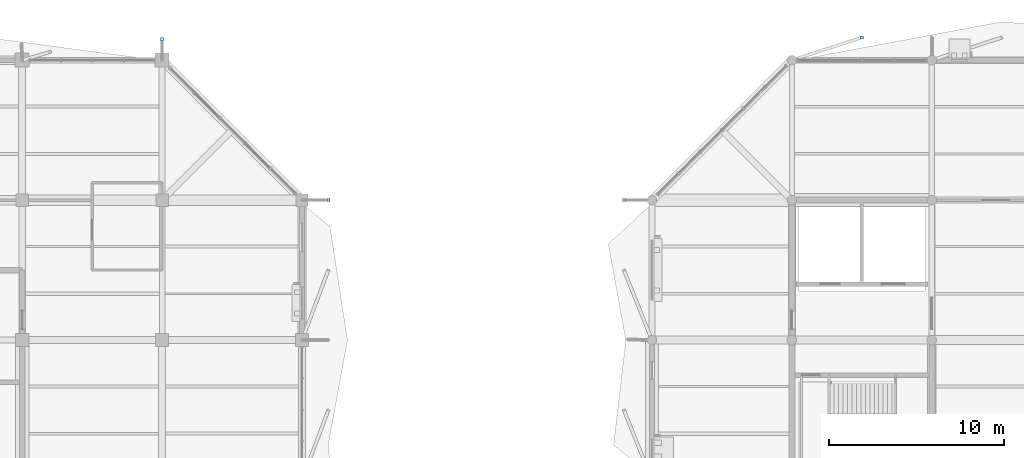
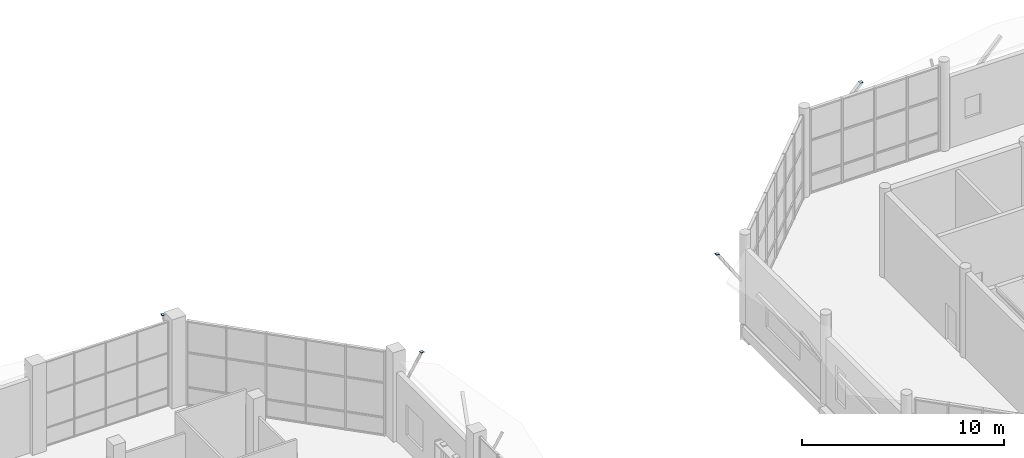
# One storey, part 101 of 122: 4 plates.
"""IFC4 building model written with IfcOpenShell, lengths in metres."""

import ifcopenshell
import ifcopenshell.guid

model = None  # the IFC model being written
_history = None  # IfcOwnerHistory: only IFC2X3 demands one
_inside = {}  # id of a spatial element -> (the spatial element, [elements in it])
_under = {}  # id of a project, library or spatial element -> (it, [spatial elements below it])
_declared = {}  # id of a project -> (the project, [libraries it declares])
_typed = {}  # id of a type object -> (the type object, [elements of that type])
_made_of = {}  # id of a material, layer set ... -> (it, [elements and type objects made of it])


def new_model(schema):
    """Start an empty IFC model of exactly this schema.

    Asked for "IFC4X3", IfcOpenShell would pick the latest addendum, in which some entities
    have other attributes; the version numbers below select the first issue.
    IFC2X3 requires an IfcOwnerHistory on every rooted entity: one is made here for all.
    """
    global model, _history
    if schema == "IFC4X3":
        model = ifcopenshell.file(schema_version=(4, 3, 0, 0))
    else:
        model = ifcopenshell.file(schema=schema)
    _inside.clear()
    _under.clear()
    _declared.clear()
    _typed.clear()
    _made_of.clear()
    _history = None
    if model.schema == "IFC2X3":
        org = make("IfcOrganization", Name="unknown")
        user = make(
            "IfcPersonAndOrganization",
            ThePerson=make("IfcPerson", FamilyName="unknown"),
            TheOrganization=org,
        )
        app = make(
            "IfcApplication",
            ApplicationDeveloper=org,
            Version="unknown",
            ApplicationFullName="unknown",
            ApplicationIdentifier="unknown",
        )
        _history = make(
            "IfcOwnerHistory",
            OwningUser=user,
            OwningApplication=app,
            ChangeAction="ADDED",
            CreationDate=0,
        )
    return model


def make(cls, **values):
    """One entity of the class cls with the attributes given. An attribute that is None is left unset."""
    return model.create_entity(
        cls, **{name: value for name, value in values.items() if value is not None}
    )


def rooted(cls, **values):
    """An entity with a GlobalId (a new one), such as an element, a storey or a relation."""
    return make(cls, GlobalId=ifcopenshell.guid.new(), OwnerHistory=_history, **values)


def si_unit(unit_type, name, prefix=None):
    """IfcSIUnit, for example si_unit("LENGTHUNIT", "METRE", prefix="MILLI")."""
    return make("IfcSIUnit", UnitType=unit_type, Prefix=prefix, Name=name)


def assignment(units):
    """IfcUnitAssignment: the units of a project."""
    return None if units is None else make("IfcUnitAssignment", Units=units)


def point(xyz):
    """IfcCartesianPoint."""
    return None if xyz is None else make("IfcCartesianPoint", Coordinates=xyz)


def direction(xyz):
    """IfcDirection."""
    return None if xyz is None else make("IfcDirection", DirectionRatios=xyz)


def frame(location, z_axis=None, x_axis=None):
    """IfcAxis2Placement3D, a coordinate frame: its origin and axes. An axis left out is left unset."""
    return make(
        "IfcAxis2Placement3D",
        Location=point(location),
        Axis=direction(z_axis),
        RefDirection=direction(x_axis),
    )


def frame_2d(location, x_axis=None):
    """IfcAxis2Placement2D, a coordinate frame in the plane: its origin and x axis."""
    return make(
        "IfcAxis2Placement2D", Location=point(location), RefDirection=direction(x_axis)
    )


def origin():
    """The frame at (0, 0, 0) with its axes left unset."""
    return frame((0.0, 0.0, 0.0))


def origin_2d():
    """The frame at (0, 0) in the plane with its x axis left unset."""
    return frame_2d((0.0, 0.0))


def place(relative_to, where):
    """IfcLocalPlacement: puts the frame where relative to a parent placement (None: the world)."""
    return make(
        "IfcLocalPlacement", PlacementRelTo=relative_to, RelativePlacement=where
    )


def context(
    kind, dimensions, precision=None, world=None, true_north=None, identifier=None
):
    """IfcGeometricRepresentationContext, for example the 3D "Model" context."""
    return make(
        "IfcGeometricRepresentationContext",
        ContextIdentifier=identifier,
        ContextType=kind,
        CoordinateSpaceDimension=dimensions,
        Precision=precision,
        WorldCoordinateSystem=world,
        TrueNorth=true_north,
    )


def subcontext(parent, identifier, kind, view, scale=None):
    """IfcGeometricRepresentationSubContext, for example "Body" below "Model"."""
    return make(
        "IfcGeometricRepresentationSubContext",
        ContextIdentifier=identifier,
        ContextType=kind,
        ParentContext=parent,
        TargetScale=scale,
        TargetView=view,
    )


def project(units=None, contexts=None):
    """IfcProject with its units and contexts."""
    return rooted(
        "IfcProject",
        Name="project",
        RepresentationContexts=contexts,
        UnitsInContext=assignment(units),
    )


def spatial(cls, under=None, at=None, **own):
    """A site, building, storey or space (cls), placed at a placement, below another one or the project."""
    s = rooted(cls, ObjectPlacement=at, **own)
    if under is not None:
        _under.setdefault(under.id(), (under, []))[1].append(s)
    return s


def profile(cls, at=None, kind="AREA", **sizes):
    """A parametric profile (cls). Its sizes go by their IFC names, for example OverallWidth=200.0."""
    return make(cls, ProfileType=kind, Position=at, **sizes)


def rectangle(**sizes):
    """IfcRectangleProfileDef."""
    return profile("IfcRectangleProfileDef", **sizes)


def extrude(swept, where, along, depth):
    """IfcExtrudedAreaSolid: the profile swept, set in the frame where, extruded along a direction by depth."""
    return make(
        "IfcExtrudedAreaSolid",
        SweptArea=swept,
        Position=where,
        ExtrudedDirection=direction(along),
        Depth=depth,
    )


def shape(context_of_items, identifier, shape_type, items):
    """IfcShapeRepresentation: the items that make up one representation, for example the "Body"."""
    return make(
        "IfcShapeRepresentation",
        ContextOfItems=context_of_items,
        RepresentationIdentifier=identifier,
        RepresentationType=shape_type,
        Items=items,
    )


def material(Name=None, Category=None):
    """IfcMaterial."""
    return make("IfcMaterial", Name=Name, Category=Category)


def layer(
    of_material, thickness, ventilated=None, Name=None, Category=None, Priority=None
):
    """IfcMaterialLayer: one layer of a wall or slab, of a material (None: an air gap)."""
    return make(
        "IfcMaterialLayer",
        Material=of_material,
        LayerThickness=thickness,
        IsVentilated=ventilated,
        Name=Name,
        Category=Category,
        Priority=Priority,
    )


def layer_set(layers, Name=None):
    """IfcMaterialLayerSet."""
    return make("IfcMaterialLayerSet", MaterialLayers=layers, LayerSetName=Name)


def made_of(thing, what):
    """Note that an element or type object is made of a material, layer set ...; save() writes the relation."""
    if what is not None:
        _made_of.setdefault(what.id(), (what, []))[1].append(thing)
    return thing


def type_object(cls, material=None, **own):
    """A type object (cls), such as IfcWallType, which elements share."""
    return made_of(rooted(cls, **own), material)


def element(
    cls,
    number,
    at=None,
    inside=None,
    cuts=None,
    type_object=None,
    material=None,
    context=None,
    identifier="Body",
    shape_type=None,
    held_by="IfcProductDefinitionShape",
    body=None,
    shapes=None,
    **own,
):
    """One element of the class cls, such as IfcWall. Its Tag is "e" and its number.

    at: its placement. inside: the storey or other place that contains it. cuts: it is an
    opening in that element (IfcRelVoidsElement). A single representation is given by context,
    identifier, shape_type and body (its items); several are given by shapes. held_by: the class
    of the entity that holds the representations. save() writes the other relations.
    """
    e = rooted(cls, Tag="e%d" % number, ObjectPlacement=at, **own)
    if body is not None:
        shapes = [shape(context, identifier, shape_type, body)]
    if shapes is not None:
        e.Representation = make(held_by, Representations=shapes)
    if inside is not None:
        _inside.setdefault(inside.id(), (inside, []))[1].append(e)
    if cuts is not None:
        rooted(
            "IfcRelVoidsElement", RelatingBuildingElement=cuts, RelatedOpeningElement=e
        )
    if type_object is not None:
        _typed.setdefault(type_object.id(), (type_object, []))[1].append(e)
    return made_of(e, material)


def aggregate(whole, parts):
    """IfcRelAggregates: a whole, such as a stair, and the parts it consists of."""
    return rooted("IfcRelAggregates", RelatingObject=whole, RelatedObjects=parts)


def save(model, path):
    """Write the relations noted so far, then the file.

    IfcRelAggregates (storeys below a building ...), IfcRelContainedInSpatialStructure (elements
    in a storey), IfcRelDefinesByType, IfcRelAssociatesMaterial and IfcRelDeclares: one each for
    every whole, place, type object, material and project.
    """
    for whole, parts in _under.values():
        aggregate(whole, parts)
    for where, things in _inside.values():
        rooted(
            "IfcRelContainedInSpatialStructure",
            RelatedElements=things,
            RelatingStructure=where,
        )
    for kind, things in _typed.values():
        rooted("IfcRelDefinesByType", RelatedObjects=things, RelatingType=kind)
    for what, things in _made_of.values():
        rooted("IfcRelAssociatesMaterial", RelatedObjects=things, RelatingMaterial=what)
    for by, libraries in _declared.values():
        rooted("IfcRelDeclares", RelatingContext=by, RelatedDefinitions=libraries)
    model.write(path)


model = new_model("IFC4")

# Units and contexts
model_context = context("Model", 3, precision=1e-05, world=origin(), true_north=direction((0.0, 1.0)))
body_context = subcontext(model_context, "Body", "Model", "MODEL_VIEW")
ifc_project = project(units=[si_unit("LENGTHUNIT", "METRE"), si_unit("AREAUNIT", "SQUARE_METRE"), si_unit("VOLUMEUNIT", "CUBIC_METRE"), si_unit("PLANEANGLEUNIT", "RADIAN"), si_unit("MASSUNIT", "GRAM", prefix="KILO")], contexts=[model_context])

# Site, building, storey
site_placement = place(None, origin())
site = spatial("IfcSite", under=ifc_project, at=site_placement, CompositionType="ELEMENT")
building_placement = place(site_placement, origin())
building = spatial("IfcBuilding", under=site, at=building_placement, Name="Tenunan Teduh Sports Hall", CompositionType="ELEMENT")
storey_placement = place(building_placement, frame((0.0, 0.0, 5.39990234375)))
storey = spatial("IfcBuildingStorey", under=building, at=storey_placement, Name="L01", CompositionType="ELEMENT", Elevation=5.39990234375)

# Plates
ifc_material = material(Name="Steel S355", Category="steel")
ifc_layer = layer(ifc_material, 0.01611328125)
ifc_layer_set = layer_set([ifc_layer], Name="Steel S355")
plate_type = type_object("IfcPlateType", Name="PLT-CAP-180", PredefinedType="SHEET", material=ifc_layer_set)
for number, where, z_axis, x_axis, name in (
    (1, (70.0, 119.199951171875, 4.6201171875), (0.0, 0.0, 1.0), (1.0, 0.0, 0.0), "PLT-CAP-L01-009"),
    (2, (79.5, 110.0, 4.6201171875), (0.0, 0.0, 1.0), (1.0, 0.0, 0.0), "PLT-CAP-L01-011"),
    (3, (110.0, 119.300048828125, 4.6201171875), (0.0, 0.0, 1.0), (1.0, 0.0, 0.0), "PLT-CAP-L01-012"),
    (4, (96.39990234375, 110.0, 4.6201171875), (0.0, 0.0, 1.0), (1.0, 0.0, 0.0), "PLT-CAP-L01-014"),
):
    element("IfcPlate", number, at=place(storey_placement, frame(where, z_axis=z_axis, x_axis=x_axis)), inside=storey, type_object=plate_type, Name=name, PredefinedType="SHEET", context=body_context, shape_type="SweptSolid", body=[
        extrude(rectangle(XDim=0.179931640625, YDim=0.179931640625, at=origin_2d()), origin(), (0.0, 0.0, 1.0), 0.01611328125),
    ])

save(model, "model.ifc")
